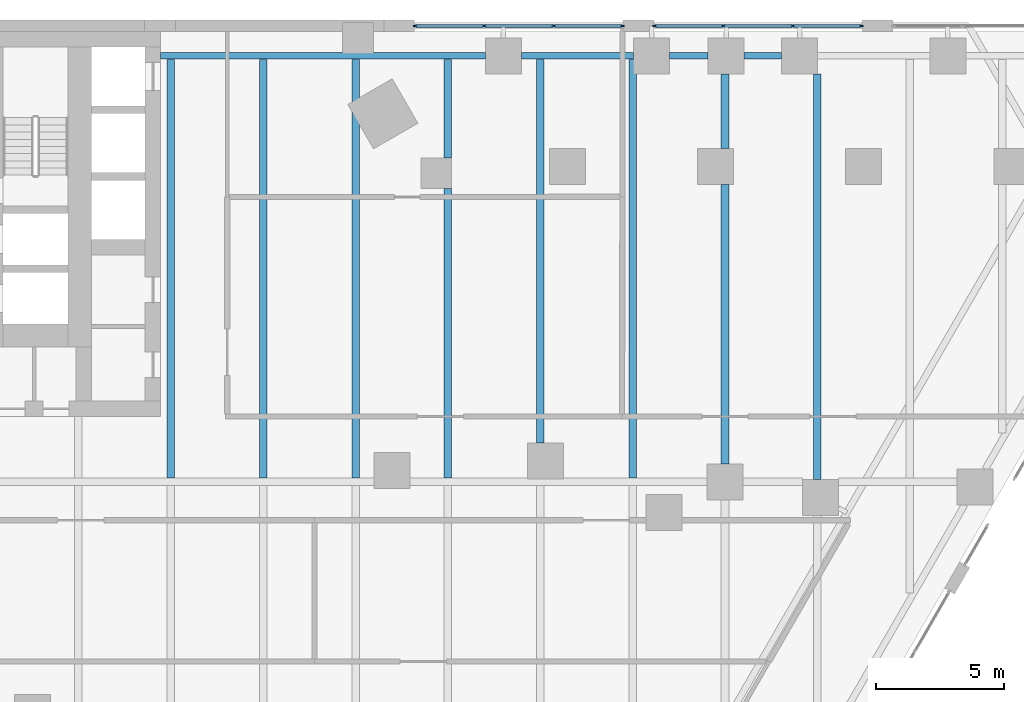
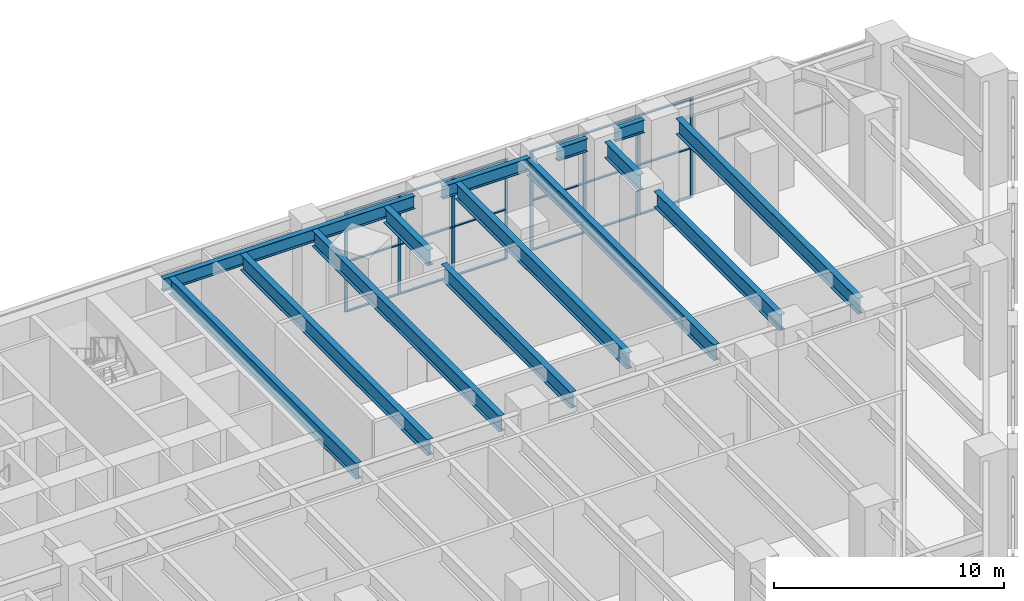
# One storey, part 19 of 37: 26 members, 14 beams, 2 elements without a shape of their own.
"""IFC4 building model written with IfcOpenShell, lengths in metres."""

from ifc_helpers import new_model, si_unit, direction, frame, origin, origin_2d, place, context, subcontext, project, spatial, rectangle, i_section, extrude, material, material_profile, profile_set, type_object, element, aggregate, save


model = new_model("IFC4")

# Units and contexts
model_context = context("Model", 3, precision=1e-05, world=origin(), true_north=direction((0.0, 1.0)))
body_context = subcontext(model_context, "Body", "Model", "MODEL_VIEW")
ifc_project = project(units=[si_unit("LENGTHUNIT", "METRE"), si_unit("AREAUNIT", "SQUARE_METRE"), si_unit("VOLUMEUNIT", "CUBIC_METRE"), si_unit("PLANEANGLEUNIT", "RADIAN"), si_unit("MASSUNIT", "GRAM", prefix="KILO")], contexts=[model_context])

# Site, building, storey
site_placement = place(None, origin())
site = spatial("IfcSite", under=ifc_project, at=site_placement, CompositionType="ELEMENT")
building_placement = place(site_placement, origin())
building = spatial("IfcBuilding", under=site, at=building_placement, Name="Aloe Facet Convention Tower", CompositionType="ELEMENT")
storey_placement = place(building_placement, frame((0.0, 0.0, 7.5)))
storey = spatial("IfcBuildingStorey", under=building, at=storey_placement, Name="L01", CompositionType="ELEMENT", Elevation=7.5)

# Curtain wall, members
ifc_material_1 = material(Name="Aluminium, anodised", Category="aluminium")
curtain_wall_type = type_object("IfcCurtainWallType", Name="EV-CW-SHOP", PredefinedType="USERDEFINED", material=ifc_material_1)
curtain_wall_1_placement = place(storey_placement, origin())
curtain_wall_1 = element("IfcCurtainWall", 1, at=curtain_wall_1_placement, inside=storey, type_object=curtain_wall_type, Name="CW-L01-N04", ObjectType="STICK SHOPFRONT GLAZING", PredefinedType="USERDEFINED")
ifc_material_2 = material(Name="Aluminium, anodised", Category="aluminium")
ifc_material_profile_1 = material_profile(ifc_material_2, rectangle(XDim=0.06005859375, YDim=0.159912109375, at=origin_2d()), Name="AL 60x160")
ifc_profile_set_1 = profile_set([ifc_material_profile_1], Name="Aluminium, anodised")
member_type_1 = type_object("IfcMemberType", Name="EV-MULL-SHOP", PredefinedType="MULLION", material=ifc_profile_set_1)
member_1_placement = place(storey_placement, frame((121.316162109375, 134.77490234375, -0.300048828125), z_axis=(0.0, 0.0, 1.0), x_axis=(0.0, -1.0, 0.0)))
member_1 = element("IfcMember", 2, at=member_1_placement, type_object=member_type_1, Name="CW-L01-N04 mullion 1", PredefinedType="MULLION", context=body_context, shape_type="SweptSolid", body=[
    extrude(rectangle(XDim=0.06005859375, YDim=0.159912109375, at=origin_2d()), origin(), (0.0, 0.0, 1.0), 5.3125),
])
member_2_placement = place(storey_placement, frame((118.638916015625, 134.77490234375, -0.300048828125), z_axis=(0.0, 0.0, 1.0), x_axis=(0.0, -1.0, 0.0)))
member_2 = element("IfcMember", 3, at=member_2_placement, type_object=member_type_1, Name="CW-L01-N04 mullion 2", PredefinedType="MULLION", context=body_context, shape_type="SweptSolid", body=[
    extrude(rectangle(XDim=0.06005859375, YDim=0.159912109375, at=origin_2d()), origin(), (0.0, 0.0, 1.0), 5.3125),
])
member_3_placement = place(storey_placement, frame((115.931884765625, 134.77490234375, -0.300048828125), z_axis=(0.0, 0.0, 1.0), x_axis=(0.0, -1.0, 0.0)))
member_3 = element("IfcMember", 4, at=member_3_placement, type_object=member_type_1, Name="CW-L01-N04 mullion 3", PredefinedType="MULLION", context=body_context, shape_type="SweptSolid", body=[
    extrude(rectangle(XDim=0.06005859375, YDim=0.159912109375, at=origin_2d()), origin(), (0.0, 0.0, 1.0), 5.3125),
])
member_4_placement = place(storey_placement, frame((113.2548828125, 134.77490234375, -0.300048828125), z_axis=(0.0, 0.0, 1.0), x_axis=(0.0, -1.0, 0.0)))
member_4 = element("IfcMember", 5, at=member_4_placement, type_object=member_type_1, Name="CW-L01-N04 mullion 4", PredefinedType="MULLION", context=body_context, shape_type="SweptSolid", body=[
    extrude(rectangle(XDim=0.06005859375, YDim=0.159912109375, at=origin_2d()), origin(), (0.0, 0.0, 1.0), 5.3125),
])

curtain_wall_2_placement = place(storey_placement, origin())
curtain_wall_2 = element("IfcCurtainWall", 6, at=curtain_wall_2_placement, inside=storey, type_object=curtain_wall_type, Name="CW-L01-N06", ObjectType="STICK SHOPFRONT GLAZING", PredefinedType="USERDEFINED")
member_5_placement = place(storey_placement, frame((111.994873046875, 134.77490234375, -0.300048828125), z_axis=(0.0, 0.0, 1.0), x_axis=(0.0, -1.0, 0.0)))
member_5 = element("IfcMember", 7, at=member_5_placement, type_object=member_type_1, Name="CW-L01-N06 mullion 1", PredefinedType="MULLION", context=body_context, shape_type="SweptSolid", body=[
    extrude(rectangle(XDim=0.06005859375, YDim=0.159912109375, at=origin_2d()), origin(), (0.0, 0.0, 1.0), 5.3125),
])
member_6_placement = place(storey_placement, frame((109.317626953125, 134.77490234375, -0.300048828125), z_axis=(0.0, 0.0, 1.0), x_axis=(0.0, -1.0, 0.0)))
member_6 = element("IfcMember", 8, at=member_6_placement, type_object=member_type_1, Name="CW-L01-N06 mullion 2", PredefinedType="MULLION", context=body_context, shape_type="SweptSolid", body=[
    extrude(rectangle(XDim=0.06005859375, YDim=0.159912109375, at=origin_2d()), origin(), (0.0, 0.0, 1.0), 5.3125),
])
member_7_placement = place(storey_placement, frame((106.610595703125, 134.77490234375, -0.300048828125), z_axis=(0.0, 0.0, 1.0), x_axis=(0.0, -1.0, 0.0)))
member_7 = element("IfcMember", 9, at=member_7_placement, type_object=member_type_1, Name="CW-L01-N06 mullion 3", PredefinedType="MULLION", context=body_context, shape_type="SweptSolid", body=[
    extrude(rectangle(XDim=0.06005859375, YDim=0.159912109375, at=origin_2d()), origin(), (0.0, 0.0, 1.0), 5.3125),
])
member_8_placement = place(storey_placement, frame((103.933349609375, 134.77490234375, -0.300048828125), z_axis=(0.0, 0.0, 1.0), x_axis=(0.0, -1.0, 0.0)))
member_8 = element("IfcMember", 10, at=member_8_placement, type_object=member_type_1, Name="CW-L01-N06 mullion 4", PredefinedType="MULLION", context=body_context, shape_type="SweptSolid", body=[
    extrude(rectangle(XDim=0.06005859375, YDim=0.159912109375, at=origin_2d()), origin(), (0.0, 0.0, 1.0), 5.3125),
])

# Member
ifc_material_3 = material(Name="Aluminium, anodised", Category="aluminium")
ifc_material_profile_2 = material_profile(ifc_material_3, rectangle(XDim=0.1201171875, YDim=0.06005859375, at=origin_2d()), Name="AL 120x60")
ifc_profile_set_2 = profile_set([ifc_material_profile_2], Name="Aluminium, anodised")
member_type_2 = type_object("IfcMemberType", Name="EV-TRAN-SHOP", PredefinedType="USERDEFINED", material=ifc_profile_set_2)
member_9_placement = place(storey_placement, frame((121.2861328125, 134.77490234375, -0.27001953125), z_axis=(-1.0, 0.0, 0.0), x_axis=(0.0, -1.0, 0.0)))
member_9 = element("IfcMember", 11, at=member_9_placement, type_object=member_type_2, Name="CW-L01-N04 transom 1.1", ObjectType="TRANSOM", PredefinedType="USERDEFINED", context=body_context, shape_type="SweptSolid", body=[
    extrude(rectangle(XDim=0.1201171875, YDim=0.06005859375, at=origin_2d()), origin(), (0.0, 0.0, 1.0), 2.6171875),
])

member_10_placement = place(storey_placement, frame((121.2861328125, 134.77490234375, 2.356201171875), z_axis=(-1.0, 0.0, 0.0), x_axis=(0.0, -1.0, 0.0)))
member_10 = element("IfcMember", 12, at=member_10_placement, type_object=member_type_2, Name="CW-L01-N04 transom 1.2", ObjectType="TRANSOM", PredefinedType="USERDEFINED", context=body_context, shape_type="SweptSolid", body=[
    extrude(rectangle(XDim=0.1201171875, YDim=0.06005859375, at=origin_2d()), origin(), (0.0, 0.0, 1.0), 2.6171875),
])

member_11_placement = place(storey_placement, frame((121.2861328125, 134.77490234375, 4.982421875), z_axis=(-1.0, 0.0, 0.0), x_axis=(0.0, -1.0, 0.0)))
member_11 = element("IfcMember", 13, at=member_11_placement, type_object=member_type_2, Name="CW-L01-N04 transom 1.3", ObjectType="TRANSOM", PredefinedType="USERDEFINED", context=body_context, shape_type="SweptSolid", body=[
    extrude(rectangle(XDim=0.1201171875, YDim=0.06005859375, at=origin_2d()), origin(), (0.0, 0.0, 1.0), 2.6171875),
])

member_12_placement = place(storey_placement, frame((118.609130859375, 134.77490234375, -0.27001953125), z_axis=(-1.0, 0.0, 0.0), x_axis=(0.0, -1.0, 0.0)))
member_12 = element("IfcMember", 14, at=member_12_placement, type_object=member_type_2, Name="CW-L01-N04 transom 2.1", ObjectType="TRANSOM", PredefinedType="USERDEFINED", context=body_context, shape_type="SweptSolid", body=[
    extrude(rectangle(XDim=0.1201171875, YDim=0.06005859375, at=origin_2d()), origin(), (0.0, 0.0, 1.0), 2.647216796875),
])

member_13_placement = place(storey_placement, frame((118.609130859375, 134.77490234375, 2.356201171875), z_axis=(-1.0, 0.0, 0.0), x_axis=(0.0, -1.0, 0.0)))
member_13 = element("IfcMember", 15, at=member_13_placement, type_object=member_type_2, Name="CW-L01-N04 transom 2.2", ObjectType="TRANSOM", PredefinedType="USERDEFINED", context=body_context, shape_type="SweptSolid", body=[
    extrude(rectangle(XDim=0.1201171875, YDim=0.06005859375, at=origin_2d()), origin(), (0.0, 0.0, 1.0), 2.647216796875),
])

member_14_placement = place(storey_placement, frame((118.609130859375, 134.77490234375, 4.982421875), z_axis=(-1.0, 0.0, 0.0), x_axis=(0.0, -1.0, 0.0)))
member_14 = element("IfcMember", 16, at=member_14_placement, type_object=member_type_2, Name="CW-L01-N04 transom 2.3", ObjectType="TRANSOM", PredefinedType="USERDEFINED", context=body_context, shape_type="SweptSolid", body=[
    extrude(rectangle(XDim=0.1201171875, YDim=0.06005859375, at=origin_2d()), origin(), (0.0, 0.0, 1.0), 2.647216796875),
])

member_15_placement = place(storey_placement, frame((115.90185546875, 134.77490234375, -0.27001953125), z_axis=(-1.0, 0.0, 0.0), x_axis=(0.0, -1.0, 0.0)))
member_15 = element("IfcMember", 17, at=member_15_placement, type_object=member_type_2, Name="CW-L01-N04 transom 3.1", ObjectType="TRANSOM", PredefinedType="USERDEFINED", context=body_context, shape_type="SweptSolid", body=[
    extrude(rectangle(XDim=0.1201171875, YDim=0.06005859375, at=origin_2d()), origin(), (0.0, 0.0, 1.0), 2.6171875),
])

member_16_placement = place(storey_placement, frame((115.90185546875, 134.77490234375, 2.356201171875), z_axis=(-1.0, 0.0, 0.0), x_axis=(0.0, -1.0, 0.0)))
member_16 = element("IfcMember", 18, at=member_16_placement, type_object=member_type_2, Name="CW-L01-N04 transom 3.2", ObjectType="TRANSOM", PredefinedType="USERDEFINED", context=body_context, shape_type="SweptSolid", body=[
    extrude(rectangle(XDim=0.1201171875, YDim=0.06005859375, at=origin_2d()), origin(), (0.0, 0.0, 1.0), 2.6171875),
])

member_17_placement = place(storey_placement, frame((115.90185546875, 134.77490234375, 4.982421875), z_axis=(-1.0, 0.0, 0.0), x_axis=(0.0, -1.0, 0.0)))
member_17 = element("IfcMember", 19, at=member_17_placement, type_object=member_type_2, Name="CW-L01-N04 transom 3.3", ObjectType="TRANSOM", PredefinedType="USERDEFINED", context=body_context, shape_type="SweptSolid", body=[
    extrude(rectangle(XDim=0.1201171875, YDim=0.06005859375, at=origin_2d()), origin(), (0.0, 0.0, 1.0), 2.6171875),
])

aggregate(curtain_wall_1, [member_1, member_2, member_3, member_4, member_9, member_10, member_11, member_12, member_13, member_14, member_15, member_16, member_17])

member_18_placement = place(storey_placement, frame((111.96484375, 134.77490234375, -0.27001953125), z_axis=(-1.0, 0.0, 0.0), x_axis=(0.0, -1.0, 0.0)))
member_18 = element("IfcMember", 20, at=member_18_placement, type_object=member_type_2, Name="CW-L01-N06 transom 1.1", ObjectType="TRANSOM", PredefinedType="USERDEFINED", context=body_context, shape_type="SweptSolid", body=[
    extrude(rectangle(XDim=0.1201171875, YDim=0.06005859375, at=origin_2d()), origin(), (0.0, 0.0, 1.0), 2.6171875),
])

member_19_placement = place(storey_placement, frame((111.96484375, 134.77490234375, 2.356201171875), z_axis=(-1.0, 0.0, 0.0), x_axis=(0.0, -1.0, 0.0)))
member_19 = element("IfcMember", 21, at=member_19_placement, type_object=member_type_2, Name="CW-L01-N06 transom 1.2", ObjectType="TRANSOM", PredefinedType="USERDEFINED", context=body_context, shape_type="SweptSolid", body=[
    extrude(rectangle(XDim=0.1201171875, YDim=0.06005859375, at=origin_2d()), origin(), (0.0, 0.0, 1.0), 2.6171875),
])

member_20_placement = place(storey_placement, frame((111.96484375, 134.77490234375, 4.982421875), z_axis=(-1.0, 0.0, 0.0), x_axis=(0.0, -1.0, 0.0)))
member_20 = element("IfcMember", 22, at=member_20_placement, type_object=member_type_2, Name="CW-L01-N06 transom 1.3", ObjectType="TRANSOM", PredefinedType="USERDEFINED", context=body_context, shape_type="SweptSolid", body=[
    extrude(rectangle(XDim=0.1201171875, YDim=0.06005859375, at=origin_2d()), origin(), (0.0, 0.0, 1.0), 2.6171875),
])

member_21_placement = place(storey_placement, frame((109.28759765625, 134.77490234375, -0.27001953125), z_axis=(-1.0, 0.0, 0.0), x_axis=(0.0, -1.0, 0.0)))
member_21 = element("IfcMember", 23, at=member_21_placement, type_object=member_type_2, Name="CW-L01-N06 transom 2.1", ObjectType="TRANSOM", PredefinedType="USERDEFINED", context=body_context, shape_type="SweptSolid", body=[
    extrude(rectangle(XDim=0.1201171875, YDim=0.06005859375, at=origin_2d()), origin(), (0.0, 0.0, 1.0), 2.64697265625),
])

member_22_placement = place(storey_placement, frame((109.28759765625, 134.77490234375, 2.356201171875), z_axis=(-1.0, 0.0, 0.0), x_axis=(0.0, -1.0, 0.0)))
member_22 = element("IfcMember", 24, at=member_22_placement, type_object=member_type_2, Name="CW-L01-N06 transom 2.2", ObjectType="TRANSOM", PredefinedType="USERDEFINED", context=body_context, shape_type="SweptSolid", body=[
    extrude(rectangle(XDim=0.1201171875, YDim=0.06005859375, at=origin_2d()), origin(), (0.0, 0.0, 1.0), 2.64697265625),
])

member_23_placement = place(storey_placement, frame((109.28759765625, 134.77490234375, 4.982421875), z_axis=(-1.0, 0.0, 0.0), x_axis=(0.0, -1.0, 0.0)))
member_23 = element("IfcMember", 25, at=member_23_placement, type_object=member_type_2, Name="CW-L01-N06 transom 2.3", ObjectType="TRANSOM", PredefinedType="USERDEFINED", context=body_context, shape_type="SweptSolid", body=[
    extrude(rectangle(XDim=0.1201171875, YDim=0.06005859375, at=origin_2d()), origin(), (0.0, 0.0, 1.0), 2.64697265625),
])

member_24_placement = place(storey_placement, frame((106.58056640625, 134.77490234375, -0.27001953125), z_axis=(-1.0, 0.0, 0.0), x_axis=(0.0, -1.0, 0.0)))
member_24 = element("IfcMember", 26, at=member_24_placement, type_object=member_type_2, Name="CW-L01-N06 transom 3.1", ObjectType="TRANSOM", PredefinedType="USERDEFINED", context=body_context, shape_type="SweptSolid", body=[
    extrude(rectangle(XDim=0.1201171875, YDim=0.06005859375, at=origin_2d()), origin(), (0.0, 0.0, 1.0), 2.6171875),
])

member_25_placement = place(storey_placement, frame((106.58056640625, 134.77490234375, 2.356201171875), z_axis=(-1.0, 0.0, 0.0), x_axis=(0.0, -1.0, 0.0)))
member_25 = element("IfcMember", 27, at=member_25_placement, type_object=member_type_2, Name="CW-L01-N06 transom 3.2", ObjectType="TRANSOM", PredefinedType="USERDEFINED", context=body_context, shape_type="SweptSolid", body=[
    extrude(rectangle(XDim=0.1201171875, YDim=0.06005859375, at=origin_2d()), origin(), (0.0, 0.0, 1.0), 2.6171875),
])

member_26_placement = place(storey_placement, frame((106.58056640625, 134.77490234375, 4.982421875), z_axis=(-1.0, 0.0, 0.0), x_axis=(0.0, -1.0, 0.0)))
member_26 = element("IfcMember", 28, at=member_26_placement, type_object=member_type_2, Name="CW-L01-N06 transom 3.3", ObjectType="TRANSOM", PredefinedType="USERDEFINED", context=body_context, shape_type="SweptSolid", body=[
    extrude(rectangle(XDim=0.1201171875, YDim=0.06005859375, at=origin_2d()), origin(), (0.0, 0.0, 1.0), 2.6171875),
])

aggregate(curtain_wall_2, [member_5, member_6, member_7, member_8, member_18, member_19, member_20, member_21, member_22, member_23, member_24, member_25, member_26])

# Beams
ifc_material_4 = material(Name="Steel S355", Category="steel")
ifc_material_profile_3 = material_profile(ifc_material_4, i_section(OverallWidth=0.25439453125, OverallDepth=0.6875, WebThickness=0.01318359375, FlangeThickness=0.02099609375, FilletRadius=0.01513671875, at=origin_2d()), Name="UB 686x254x152")
ifc_profile_set_3 = profile_set([ifc_material_profile_3], Name="Steel S355")
beam_type_1 = type_object("IfcBeamType", Name="SF-B-UB686x254x152", PredefinedType="BEAM", material=ifc_profile_set_3)
beam_1_placement = place(storey_placement, frame((94.0, 133.60009765625, 5.356201171875), z_axis=(1.0, 0.0, 0.0), x_axis=(0.0, 1.0, 0.0)))
element("IfcBeam", 29, at=beam_1_placement, inside=storey, type_object=beam_type_1, Name="Floor beam FB-L02-017", PredefinedType="BEAM", context=body_context, shape_type="SweptSolid", body=[
    extrude(i_section(OverallWidth=0.25439453125, OverallDepth=0.6875, WebThickness=0.01318359375, FlangeThickness=0.02099609375, FilletRadius=0.01513671875, at=origin_2d()), origin(), (0.0, 0.0, 1.0), 12.6650390625),
])
beam_2_placement = place(storey_placement, frame((108.06494140625, 133.60009765625, 5.356201171875), z_axis=(1.0, 0.0, 0.0), x_axis=(0.0, 1.0, 0.0)))
element("IfcBeam", 30, at=beam_2_placement, inside=storey, type_object=beam_type_1, Name="Floor beam FB-L02-020", PredefinedType="BEAM", context=body_context, shape_type="SweptSolid", body=[
    extrude(i_section(OverallWidth=0.25439453125, OverallDepth=0.6875, WebThickness=0.01318359375, FlangeThickness=0.02099609375, FilletRadius=0.01513671875, at=origin_2d()), origin(), (0.0, 0.0, 1.0), 4.3740234375),
])
beam_3_placement = place(storey_placement, frame((113.839111328125, 133.60009765625, 5.356201171875), z_axis=(1.0, 0.0, 0.0), x_axis=(0.0, 1.0, 0.0)))
element("IfcBeam", 31, at=beam_3_placement, inside=storey, type_object=beam_type_1, Name="Floor beam FB-L02-022", PredefinedType="BEAM", context=body_context, shape_type="SweptSolid", body=[
    extrude(i_section(OverallWidth=0.25439453125, OverallDepth=0.6875, WebThickness=0.01318359375, FlangeThickness=0.02099609375, FilletRadius=0.01513671875, at=origin_2d()), origin(), (0.0, 0.0, 1.0), 1.5029296875),
])
beam_4_placement = place(storey_placement, frame((116.741943359375, 133.60009765625, 5.356201171875), z_axis=(1.0, 0.0, 0.0), x_axis=(0.0, 1.0, 0.0)))
element("IfcBeam", 32, at=beam_4_placement, inside=storey, type_object=beam_type_1, Name="Floor beam FB-L02-023", PredefinedType="BEAM", context=body_context, shape_type="SweptSolid", body=[
    extrude(i_section(OverallWidth=0.25439453125, OverallDepth=0.6875, WebThickness=0.01318359375, FlangeThickness=0.02099609375, FilletRadius=0.01513671875, at=origin_2d()), origin(), (0.0, 0.0, 1.0), 1.469970703125),
])
ifc_material_5 = material(Name="Steel S355", Category="steel")
ifc_material_profile_4 = material_profile(ifc_material_5, i_section(OverallWidth=0.293701171875, OverallDepth=0.850830078125, WebThickness=0.01611328125, FlangeThickness=0.02685546875, FilletRadius=0.017822265625, at=origin_2d()), Name="UB 838x292x226")
ifc_profile_set_4 = profile_set([ifc_material_profile_4], Name="Steel S355")
beam_type_2 = type_object("IfcBeamType", Name="SF-B-UB838x292x226", PredefinedType="BEAM", material=ifc_profile_set_4)
for number, where, z_axis, x_axis, name in (
    (33, (94.39990234375, 117.152587890625, 5.2744140625), (0.0, 1.0, 0.0), (-1.0, 0.0, 0.0), "Floor beam FB-L02-135"),
    (34, (98.0, 117.152587890625, 5.2744140625), (0.0, 1.0, 0.0), (-1.0, 0.0, 0.0), "Floor beam FB-L02-141"),
    (35, (101.60009765625, 117.152587890625, 5.2744140625), (0.0, 1.0, 0.0), (-1.0, 0.0, 0.0), "Floor beam FB-L02-145"),
):
    element("IfcBeam", number, at=place(storey_placement, frame(where, z_axis=z_axis, x_axis=x_axis)), inside=storey, type_object=beam_type_2, Name=name, PredefinedType="BEAM", context=body_context, shape_type="SweptSolid", body=[
        extrude(i_section(OverallWidth=0.293701171875, OverallDepth=0.850830078125, WebThickness=0.01611328125, FlangeThickness=0.02685546875, FilletRadius=0.017822265625, at=origin_2d()), origin(), (0.0, 0.0, 1.0), 16.31005859375),
    ])
beam_5_placement = place(storey_placement, frame((105.199951171875, 117.152587890625, 5.2744140625), z_axis=(0.0, 1.0, 0.0), x_axis=(-1.0, 0.0, 0.0)))
element("IfcBeam", 36, at=beam_5_placement, inside=storey, type_object=beam_type_2, Name="Floor beam FB-L02-150", PredefinedType="BEAM", context=body_context, shape_type="SweptSolid", body=[
    extrude(i_section(OverallWidth=0.293701171875, OverallDepth=0.850830078125, WebThickness=0.01611328125, FlangeThickness=0.02685546875, FilletRadius=0.017822265625, at=origin_2d()), origin(), (0.0, 0.0, 1.0), 11.275390625),
])
beam_6_placement = place(storey_placement, frame((105.199951171875, 129.6279296875, 5.2744140625), z_axis=(0.0, 1.0, 0.0), x_axis=(-1.0, 0.0, 0.0)))
element("IfcBeam", 37, at=beam_6_placement, inside=storey, type_object=beam_type_2, Name="Floor beam FB-L02-151", PredefinedType="BEAM", context=body_context, shape_type="SweptSolid", body=[
    extrude(i_section(OverallWidth=0.293701171875, OverallDepth=0.850830078125, WebThickness=0.01611328125, FlangeThickness=0.02685546875, FilletRadius=0.017822265625, at=origin_2d()), origin(), (0.0, 0.0, 1.0), 3.834716796875),
])
beam_7_placement = place(storey_placement, frame((108.800048828125, 118.5048828125, 5.2744140625), z_axis=(0.0, 1.0, 0.0), x_axis=(-1.0, 0.0, 0.0)))
element("IfcBeam", 38, at=beam_7_placement, inside=storey, type_object=beam_type_2, Name="Floor beam FB-L02-154", PredefinedType="BEAM", context=body_context, shape_type="SweptSolid", body=[
    extrude(i_section(OverallWidth=0.293701171875, OverallDepth=0.850830078125, WebThickness=0.01611328125, FlangeThickness=0.02685546875, FilletRadius=0.017822265625, at=origin_2d()), origin(), (0.0, 0.0, 1.0), 14.957763671875),
])
beam_8_placement = place(storey_placement, frame((112.39990234375, 117.152587890625, 5.2744140625), z_axis=(0.0, 1.0, 0.0), x_axis=(-1.0, 0.0, 0.0)))
element("IfcBeam", 39, at=beam_8_placement, inside=storey, type_object=beam_type_2, Name="Floor beam FB-L02-158", PredefinedType="BEAM", context=body_context, shape_type="SweptSolid", body=[
    extrude(i_section(OverallWidth=0.293701171875, OverallDepth=0.850830078125, WebThickness=0.01611328125, FlangeThickness=0.02685546875, FilletRadius=0.017822265625, at=origin_2d()), origin(), (0.0, 0.0, 1.0), 16.31005859375),
])
beam_9_placement = place(storey_placement, frame((116.0, 117.699951171875, 5.2744140625), z_axis=(0.0, 1.0, 0.0), x_axis=(-1.0, 0.0, 0.0)))
element("IfcBeam", 40, at=beam_9_placement, inside=storey, type_object=beam_type_2, Name="Floor beam FB-L02-160", PredefinedType="BEAM", context=body_context, shape_type="SweptSolid", body=[
    extrude(i_section(OverallWidth=0.293701171875, OverallDepth=0.850830078125, WebThickness=0.01611328125, FlangeThickness=0.02685546875, FilletRadius=0.017822265625, at=origin_2d()), origin(), (0.0, 0.0, 1.0), 10.884033203125),
])
beam_10_placement = place(storey_placement, frame((116.0, 129.98388671875, 5.2744140625), z_axis=(0.0, 1.0, 0.0), x_axis=(-1.0, 0.0, 0.0)))
element("IfcBeam", 41, at=beam_10_placement, inside=storey, type_object=beam_type_2, Name="Floor beam FB-L02-161", PredefinedType="BEAM", context=body_context, shape_type="SweptSolid", body=[
    extrude(i_section(OverallWidth=0.293701171875, OverallDepth=0.850830078125, WebThickness=0.01611328125, FlangeThickness=0.02685546875, FilletRadius=0.017822265625, at=origin_2d()), origin(), (0.0, 0.0, 1.0), 2.916015625),
])
beam_11_placement = place(storey_placement, frame((119.60009765625, 117.0849609375, 5.2744140625), z_axis=(0.0, 1.0, 0.0), x_axis=(-1.0, 0.0, 0.0)))
element("IfcBeam", 42, at=beam_11_placement, inside=storey, type_object=beam_type_2, Name="Floor beam FB-L02-163", PredefinedType="BEAM", context=body_context, shape_type="SweptSolid", body=[
    extrude(i_section(OverallWidth=0.293701171875, OverallDepth=0.850830078125, WebThickness=0.01611328125, FlangeThickness=0.02685546875, FilletRadius=0.017822265625, at=origin_2d()), origin(), (0.0, 0.0, 1.0), 15.81494140625),
])

save(model, "model.ifc")
